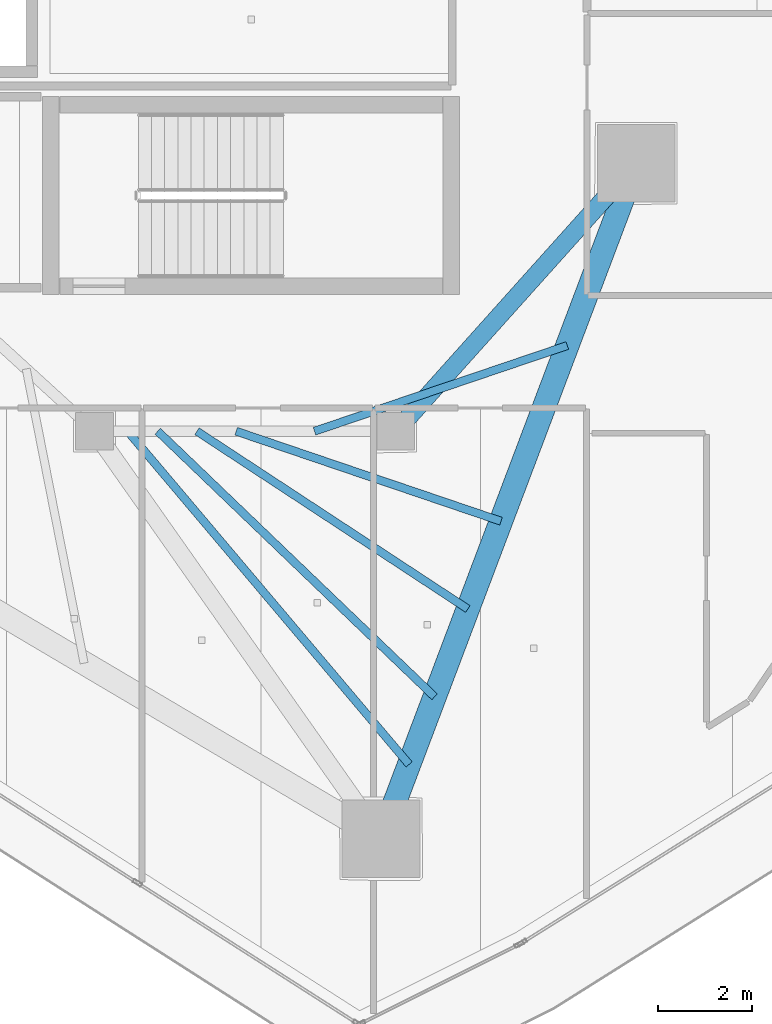
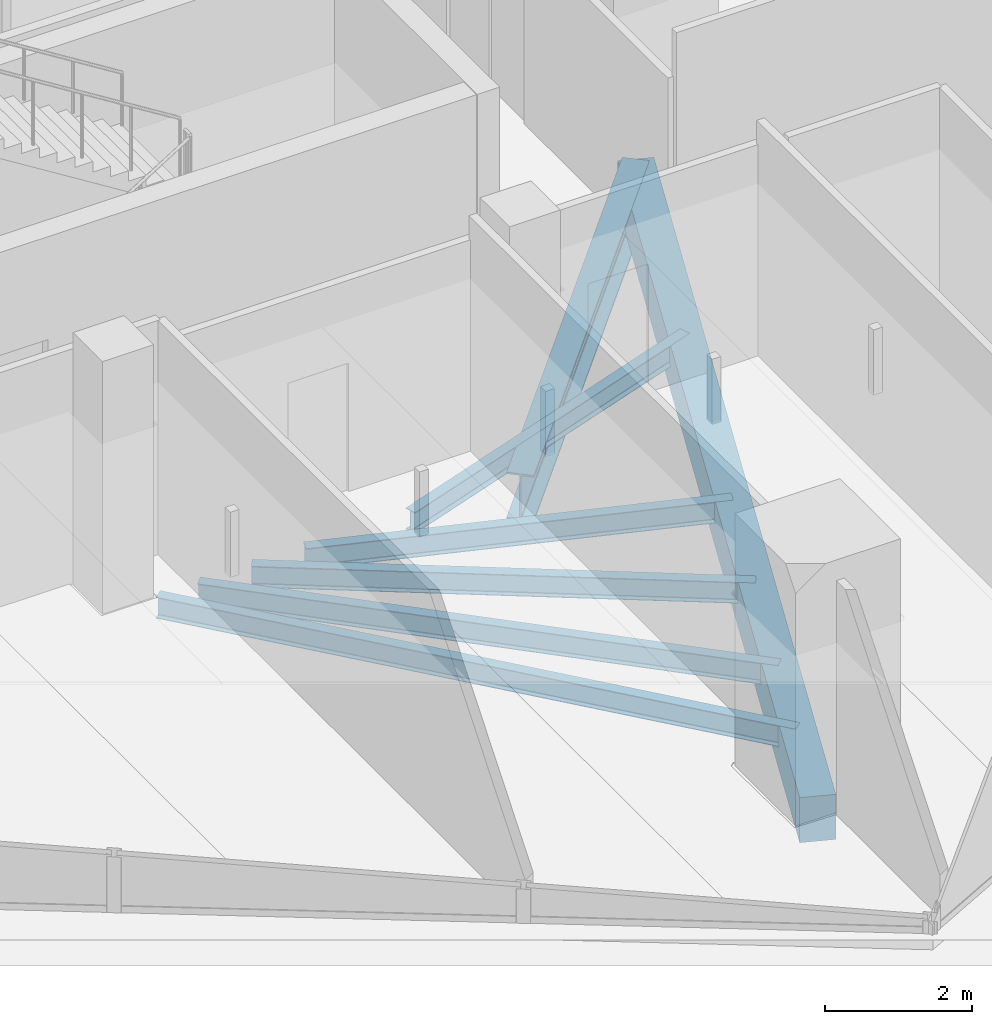
# One storey, part 11 of 36: 7 beams.
"""IFC4 building model written with IfcOpenShell, lengths in metres."""

from ifc_helpers import new_model, si_unit, direction, frame, origin, origin_2d, place, context, subcontext, project, spatial, rectangle, i_section, extrude, material, material_profile, profile_set, type_object, element, save


model = new_model("IFC4")

# Units and contexts
model_context = context("Model", 3, precision=1e-05, world=origin(), true_north=direction((0.0, 1.0)))
body_context = subcontext(model_context, "Body", "Model", "MODEL_VIEW")
ifc_project = project(units=[si_unit("LENGTHUNIT", "METRE"), si_unit("AREAUNIT", "SQUARE_METRE"), si_unit("VOLUMEUNIT", "CUBIC_METRE"), si_unit("PLANEANGLEUNIT", "RADIAN"), si_unit("MASSUNIT", "GRAM", prefix="KILO")], contexts=[model_context])

# Site, building, storey
site_placement = place(None, origin())
site = spatial("IfcSite", under=ifc_project, at=site_placement, CompositionType="ELEMENT")
building_placement = place(site_placement, origin())
building = spatial("IfcBuilding", under=site, at=building_placement, Name="Qorvath Tower", CompositionType="ELEMENT")
storey_placement = place(building_placement, frame((0.0, 0.0, 272.39990234375)))
storey = spatial("IfcBuildingStorey", under=building, at=storey_placement, Name="L63", CompositionType="ELEMENT", Elevation=272.39990234375)

# Beams
ifc_material_1 = material(Name="Steel ASTM A992 Grade 50", Category="steel")
ifc_material_profile_1 = material_profile(ifc_material_1, i_section(OverallWidth=0.381103515625, OverallDepth=0.77294921875, WebThickness=0.0166015625, FlangeThickness=0.027099609375, FilletRadius=0.01904296875, at=origin_2d()), Name="W30x173")
ifc_profile_set_1 = profile_set([ifc_material_profile_1], Name="Steel ASTM A992 Grade 50")
beam_type_1 = type_object("IfcBeamType", Name="BM-FG3", PredefinedType="BEAM", material=ifc_profile_set_1)
beam_1_placement = place(storey_placement, frame((-17.199951171875, -11.449951171875, -0.67626953125), z_axis=(0.667543184261, 0.744571082669, 0.0), x_axis=(-0.744571082669, 0.667543184261, 0.0)))
element("IfcBeam", 1, at=beam_1_placement, inside=storey, type_object=beam_type_1, Name="Radial Floor Girder CC3-MC4 L63", PredefinedType="BEAM", context=body_context, shape_type="SweptSolid", body=[
    extrude(i_section(OverallWidth=0.381103515625, OverallDepth=0.77294921875, WebThickness=0.0166015625, FlangeThickness=0.027099609375, FilletRadius=0.01904296875, at=origin_2d()), origin(), (0.0, 0.0, 1.0), 7.644775390625),
])
ifc_material_2 = material(Name="Steel ASTM A992 Grade 50", Category="steel")
ifc_material_profile_2 = material_profile(ifc_material_2, i_section(OverallWidth=0.1708984375, OverallDepth=0.35107421875, WebThickness=0.0068359375, FlangeThickness=0.009765625, FilletRadius=0.010009765625, at=origin_2d()), Name="W14x30")
ifc_profile_set_2 = profile_set([ifc_material_profile_2], Name="Steel ASTM A992 Grade 50")
beam_type_2 = type_object("IfcBeamType", Name="BM-FJ4", PredefinedType="JOIST", material=ifc_profile_set_2)
beam_2_placement = place(storey_placement, frame((-18.927978515625, -11.449951171875, -0.46533203125), z_axis=(0.947086298547, 0.32097903842, 0.0), x_axis=(-0.32097903842, 0.947086298547, 0.0)))
element("IfcBeam", 2, at=beam_2_placement, inside=storey, type_object=beam_type_2, Name="Composite Floor Joist SE2 L63", PredefinedType="JOIST", context=body_context, shape_type="SweptSolid", body=[
    extrude(i_section(OverallWidth=0.1708984375, OverallDepth=0.35107421875, WebThickness=0.0068359375, FlangeThickness=0.009765625, FilletRadius=0.010009765625, at=origin_2d()), origin(), (0.0, 0.0, 1.0), 5.66796875),
])
beam_3_placement = place(storey_placement, frame((-20.592041015625, -11.449951171875, -0.46533203125), z_axis=(0.946863164885, -0.321636669216, 0.0), x_axis=(0.321636669216, 0.946863164885, 0.0)))
element("IfcBeam", 3, at=beam_3_placement, inside=storey, type_object=beam_type_2, Name="Composite Floor Joist SE4 L63", PredefinedType="JOIST", context=body_context, shape_type="SweptSolid", body=[
    extrude(i_section(OverallWidth=0.1708984375, OverallDepth=0.35107421875, WebThickness=0.0068359375, FlangeThickness=0.009765625, FilletRadius=0.010009765625, at=origin_2d()), origin(), (0.0, 0.0, 1.0), 5.93896484375),
])
beam_4_placement = place(storey_placement, frame((-21.424072265625, -11.449951171875, -0.46533203125), z_axis=(0.835992964387, -0.548740160272, 0.0), x_axis=(0.548740160272, 0.835992964387, 0.0)))
element("IfcBeam", 4, at=beam_4_placement, inside=storey, type_object=beam_type_2, Name="Composite Floor Joist SE5 L63", PredefinedType="JOIST", context=body_context, shape_type="SweptSolid", body=[
    extrude(i_section(OverallWidth=0.1708984375, OverallDepth=0.35107421875, WebThickness=0.0068359375, FlangeThickness=0.009765625, FilletRadius=0.010009765625, at=origin_2d()), origin(), (0.0, 0.0, 1.0), 6.879150390625),
])
beam_5_placement = place(storey_placement, frame((-22.256103515625, -11.449951171875, -0.46533203125), z_axis=(0.721625044611, -0.692284114356, 0.0), x_axis=(0.692284114356, 0.721625044611, 0.0)))
element("IfcBeam", 5, at=beam_5_placement, inside=storey, type_object=beam_type_2, Name="Composite Floor Joist SE6 L63", PredefinedType="JOIST", context=body_context, shape_type="SweptSolid", body=[
    extrude(i_section(OverallWidth=0.1708984375, OverallDepth=0.35107421875, WebThickness=0.0068359375, FlangeThickness=0.009765625, FilletRadius=0.010009765625, at=origin_2d()), origin(), (0.0, 0.0, 1.0), 8.14599609375),
])
beam_6_placement = place(storey_placement, frame((-22.89599609375, -11.449951171875, -0.46533203125), z_axis=(0.645381885676, -0.763860079885, 0.0), x_axis=(0.763860079885, 0.645381885676, 0.0)))
element("IfcBeam", 6, at=beam_6_placement, inside=storey, type_object=beam_type_2, Name="Composite Floor Joist SE7 L63", PredefinedType="JOIST", context=body_context, shape_type="SweptSolid", body=[
    extrude(i_section(OverallWidth=0.1708984375, OverallDepth=0.35107421875, WebThickness=0.0068359375, FlangeThickness=0.009765625, FilletRadius=0.010009765625, at=origin_2d()), origin(), (0.0, 0.0, 1.0), 9.260498046875),
])
ifc_material_3 = material(Name="Concrete C45/55", Category="concrete")
ifc_material_profile_3 = material_profile(ifc_material_3, rectangle(XDim=0.5, YDim=0.75, at=origin_2d()), Name="RCB 750x500")
ifc_profile_set_3 = profile_set([ifc_material_profile_3], Name="Concrete C45/55")
beam_type_3 = type_object("IfcBeamType", Name="BM-RCB3", PredefinedType="SPANDREL", material=ifc_profile_set_3)
beam_7_placement = place(storey_placement, frame((-17.515380859375, -20.1015625, -0.664794921875), z_axis=(0.353397781952, 0.935473146441, 0.0), x_axis=(-0.935473146441, 0.353397781952, 0.0)))
element("IfcBeam", 7, at=beam_7_placement, inside=storey, type_object=beam_type_3, Name="Perimeter Loggia Frame Beam MC3-MC4 L63", PredefinedType="SPANDREL", context=body_context, shape_type="SweptSolid", body=[
    extrude(rectangle(XDim=0.5, YDim=0.75, at=origin_2d()), origin(), (0.0, 0.0, 1.0), 15.333251953125),
])

save(model, "model.ifc")
